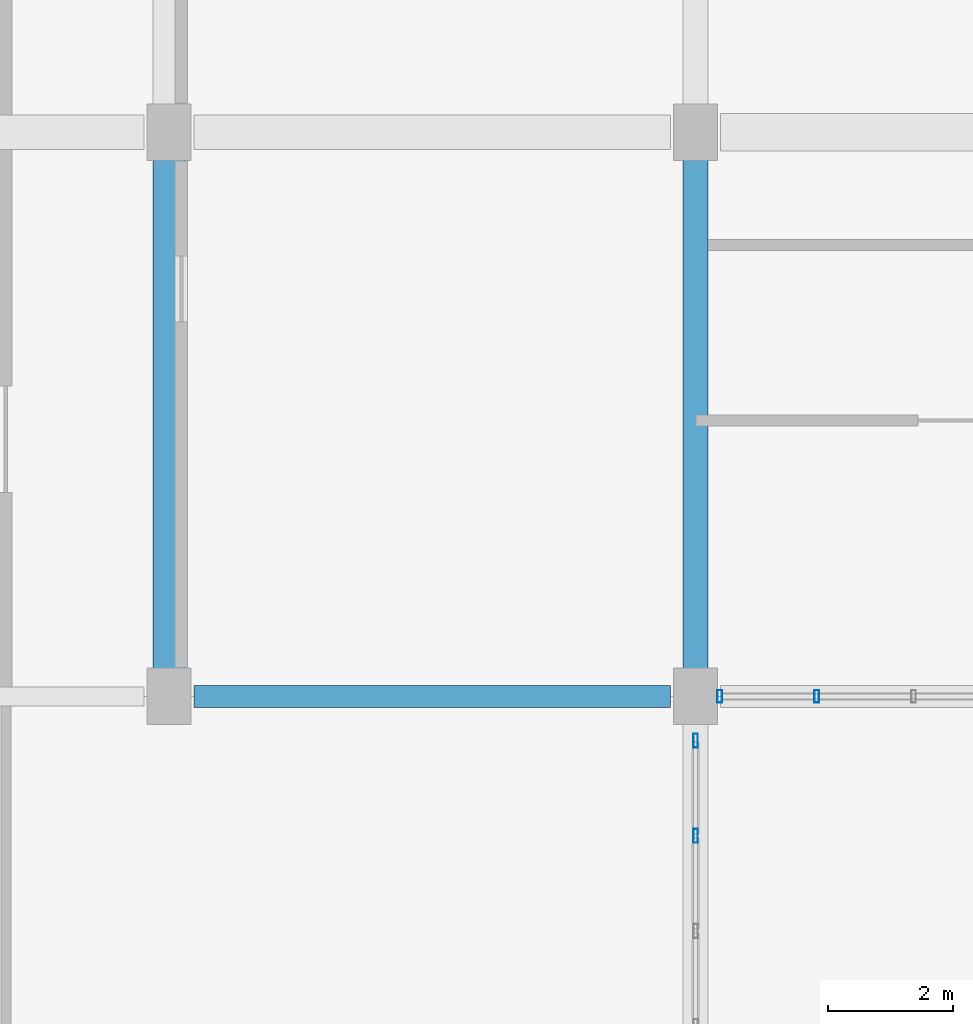
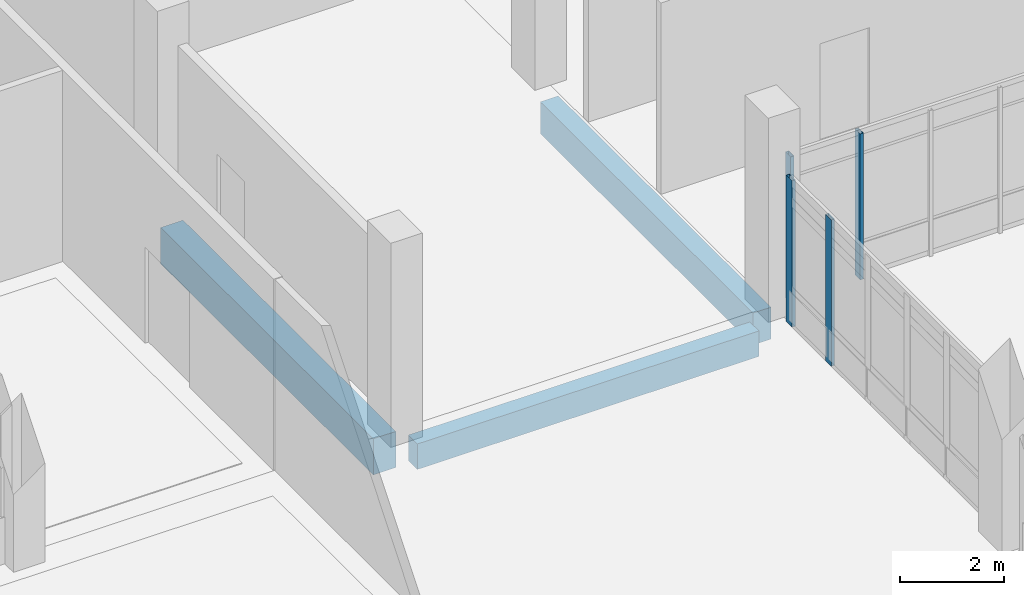
# One storey, part 27 of 95: 4 members, 3 beams, 2 elements without a shape of their own.
"""IFC4 building model written with IfcOpenShell, lengths in metres."""

from ifc_helpers import new_model, si_unit, direction, frame, origin, origin_2d, place, context, subcontext, project, spatial, rectangle, hollow_rectangle, extrude, material, layer, layer_set, material_profile, profile_set, type_object, element, aggregate, save


model = new_model("IFC4")

# Units and contexts
model_context = context("Model", 3, precision=1e-05, world=origin(), true_north=direction((0.0, 1.0)))
body_context = subcontext(model_context, "Body", "Model", "MODEL_VIEW")
ifc_project = project(units=[si_unit("LENGTHUNIT", "METRE"), si_unit("AREAUNIT", "SQUARE_METRE"), si_unit("VOLUMEUNIT", "CUBIC_METRE"), si_unit("PLANEANGLEUNIT", "RADIAN"), si_unit("MASSUNIT", "GRAM", prefix="KILO")], contexts=[model_context])

# Site, building, storey
site_placement = place(None, origin())
site = spatial("IfcSite", under=ifc_project, at=site_placement, CompositionType="ELEMENT")
building_placement = place(site_placement, origin())
building = spatial("IfcBuilding", under=site, at=building_placement, Name="Vireocrest Preparatory School", CompositionType="ELEMENT")
storey_placement = place(building_placement, origin())
storey = spatial("IfcBuildingStorey", under=building, at=storey_placement, Name="L00", CompositionType="ELEMENT", Elevation=0.0)

# Curtain wall, members
ifc_material_1 = material(Name="Thermally broken aluminium EN AW-6063-T6", Category="aluminium")
ifc_layer_1 = layer(ifc_material_1, 0.179931640625)
ifc_layer_set_1 = layer_set([ifc_layer_1], Name="Thermally broken aluminium EN AW-6063-T6")
curtain_wall_type_1 = type_object("IfcCurtainWallType", Name="Side Banded Curtain Wall 9000x3200", PredefinedType="USERDEFINED", material=ifc_layer_set_1)
curtain_wall_1_placement = place(storey_placement, origin())
curtain_wall_1 = element("IfcCurtainWall", 1, at=curtain_wall_1_placement, inside=storey, type_object=curtain_wall_type_1, Name="Curtain Wall CW09 CW_L00_CW09_1095_0180_000", ObjectType="CURTAIN WALL", PredefinedType="USERDEFINED")
ifc_material_profile_1 = material_profile(ifc_material_1, hollow_rectangle(XDim=0.074951171875, YDim=0.199951171875, WallThickness=0.0048828125, at=origin_2d()), Name="ALU 75x200x5")
ifc_profile_set_1 = profile_set([ifc_material_profile_1], Name="Thermally broken aluminium EN AW-6063-T6")
member_type_1 = type_object("IfcMemberType", Name="CW Mullion 75x200x5", PredefinedType="MULLION", material=ifc_profile_set_1)
member_1_placement = place(storey_placement, frame((109.5849609375, 18.0, 0.0), z_axis=(0.0, 0.0, 1.0), x_axis=(1.0, 0.0, 0.0)))
member_1 = element("IfcMember", 2, at=member_1_placement, type_object=member_type_1, Name="CW Mullion ML3 CW_L00_CW09_1095_0180_000-1", PredefinedType="MULLION", context=body_context, shape_type="SweptSolid", body=[
    extrude(hollow_rectangle(XDim=0.074951171875, YDim=0.199951171875, WallThickness=0.0048828125, at=origin_2d()), origin(), (0.0, 0.0, 1.0), 3.43505859375),
])
member_2_placement = place(storey_placement, frame((111.131103515625, 18.0, 0.0), z_axis=(0.0, 0.0, 1.0), x_axis=(1.0, 0.0, 0.0)))
member_2 = element("IfcMember", 3, at=member_2_placement, type_object=member_type_1, Name="CW Mullion ML3 CW_L00_CW09_1095_0180_000-2", PredefinedType="MULLION", context=body_context, shape_type="SweptSolid", body=[
    extrude(hollow_rectangle(XDim=0.074951171875, YDim=0.199951171875, WallThickness=0.0048828125, at=origin_2d()), origin(), (0.0, 0.0, 1.0), 3.43505859375),
])
aggregate(curtain_wall_1, [member_1, member_2])

ifc_layer_2 = layer(ifc_material_1, 0.179931640625)
ifc_layer_set_2 = layer_set([ifc_layer_2], Name="Thermally broken aluminium EN AW-6063-T6")
curtain_wall_type_2 = type_object("IfcCurtainWallType", Name="Dining Side Storefront 9000x4400", PredefinedType="USERDEFINED", material=ifc_layer_set_2)
curtain_wall_2_placement = place(storey_placement, origin())
curtain_wall_2 = element("IfcCurtainWall", 4, at=curtain_wall_2_placement, inside=storey, type_object=curtain_wall_type_2, Name="Curtain Wall CW11 CW_L00_CW11_1092_0096_000", ObjectType="CURTAIN WALL", PredefinedType="USERDEFINED")
ifc_material_profile_2 = material_profile(ifc_material_1, hollow_rectangle(XDim=0.074951171875, YDim=0.22509765625, WallThickness=0.0048828125, at=origin_2d()), Name="ALU 75x225x5")
ifc_profile_set_2 = profile_set([ifc_material_profile_2], Name="Thermally broken aluminium EN AW-6063-T6")
member_type_2 = type_object("IfcMemberType", Name="CW Mullion 75x225x5", PredefinedType="MULLION", material=ifc_profile_set_2)
member_3_placement = place(storey_placement, frame((109.199951171875, 15.777099609375, 0.0), z_axis=(0.0, 0.0, 1.0), x_axis=(1.0, 0.0, 0.0)))
member_3 = element("IfcMember", 5, at=member_3_placement, type_object=member_type_2, Name="CW Mullion ML4 CW_L00_CW11_1092_0096_000-5", PredefinedType="MULLION", context=body_context, shape_type="SweptSolid", body=[
    extrude(hollow_rectangle(XDim=0.074951171875, YDim=0.22509765625, WallThickness=0.0048828125, at=origin_2d()), origin(), (0.0, 0.0, 1.0), 3.445068359375),
])
member_4_placement = place(storey_placement, frame((109.199951171875, 17.294921875, 0.0), z_axis=(0.0, 0.0, 1.0), x_axis=(1.0, 0.0, 0.0)))
member_4 = element("IfcMember", 6, at=member_4_placement, type_object=member_type_2, Name="CW Mullion ML4 CW_L00_CW11_1092_0096_000-6", PredefinedType="MULLION", context=body_context, shape_type="SweptSolid", body=[
    extrude(hollow_rectangle(XDim=0.074951171875, YDim=0.22509765625, WallThickness=0.0048828125, at=origin_2d()), origin(), (0.0, 0.0, 1.0), 3.445068359375),
])
aggregate(curtain_wall_2, [member_3, member_4])

# Beams
ifc_material_2 = material(Name="Concrete 40 MPa", Category="concrete")
ifc_material_profile_3 = material_profile(ifc_material_2, rectangle(XDim=0.35009765625, YDim=0.60009765625, at=origin_2d()), Name="RC 350x600")
ifc_profile_set_3 = profile_set([ifc_material_profile_3], Name="Concrete 40 MPa")
beam_type_1 = type_object("IfcBeamType", Name="RC Classroom Girder 350x600", PredefinedType="BEAM", material=ifc_profile_set_3)
beam_1_placement = place(storey_placement, frame((101.199951171875, 18.0, -0.64990234375), z_axis=(1.0, 0.0, 0.0), x_axis=(0.0, 1.0, 0.0)))
element("IfcBeam", 7, at=beam_1_placement, inside=storey, type_object=beam_type_1, Name="Primary Girder B04 L00-0020", PredefinedType="BEAM", context=body_context, shape_type="SweptSolid", body=[
    extrude(rectangle(XDim=0.35009765625, YDim=0.60009765625, at=origin_2d()), origin(), (0.0, 0.0, 1.0), 7.60009765625),
])
ifc_material_profile_4 = material_profile(ifc_material_2, rectangle(XDim=0.39990234375, YDim=0.75, at=origin_2d()), Name="RC 400x750")
ifc_profile_set_4 = profile_set([ifc_material_profile_4], Name="Concrete 40 MPa")
beam_type_2 = type_object("IfcBeamType", Name="RC Commons Girder 400x750", PredefinedType="BEAM", material=ifc_profile_set_4)
beam_2_placement = place(storey_placement, frame((109.199951171875, 18.39990234375, -0.72509765625), z_axis=(0.0, 1.0, 0.0), x_axis=(-1.0, 0.0, 0.0)))
element("IfcBeam", 8, at=beam_2_placement, inside=storey, type_object=beam_type_2, Name="Primary Girder B09 L00-0218", PredefinedType="BEAM", context=body_context, shape_type="SweptSolid", body=[
    extrude(rectangle(XDim=0.39990234375, YDim=0.75, at=origin_2d()), origin(), (0.0, 0.0, 1.0), 8.2001953125),
])
ifc_material_profile_5 = material_profile(ifc_material_2, rectangle(XDim=0.5, YDim=0.85009765625, at=origin_2d()), Name="RC 500x850")
ifc_profile_set_5 = profile_set([ifc_material_profile_5], Name="Concrete 40 MPa")
beam_type_3 = type_object("IfcBeamType", Name="RC Podium Girder 500x850", PredefinedType="BEAM", material=ifc_profile_set_5)
beam_3_placement = place(storey_placement, frame((100.800048828125, 18.39990234375, -0.77490234375), z_axis=(0.0, 1.0, 0.0), x_axis=(-1.0, 0.0, 0.0)))
element("IfcBeam", 9, at=beam_3_placement, inside=storey, type_object=beam_type_3, Name="Primary Girder B14 L00-0205", PredefinedType="BEAM", context=body_context, shape_type="SweptSolid", body=[
    extrude(rectangle(XDim=0.5, YDim=0.85009765625, at=origin_2d()), origin(), (0.0, 0.0, 1.0), 8.2001953125),
])

save(model, "model.ifc")
